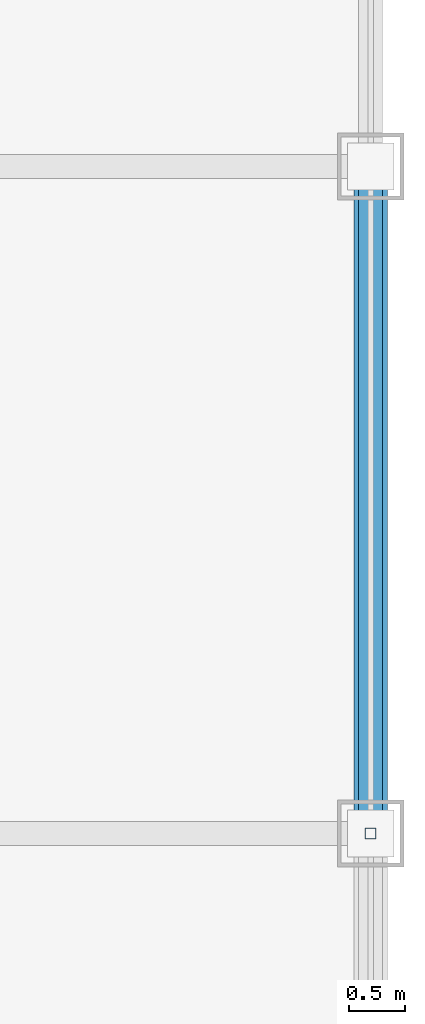
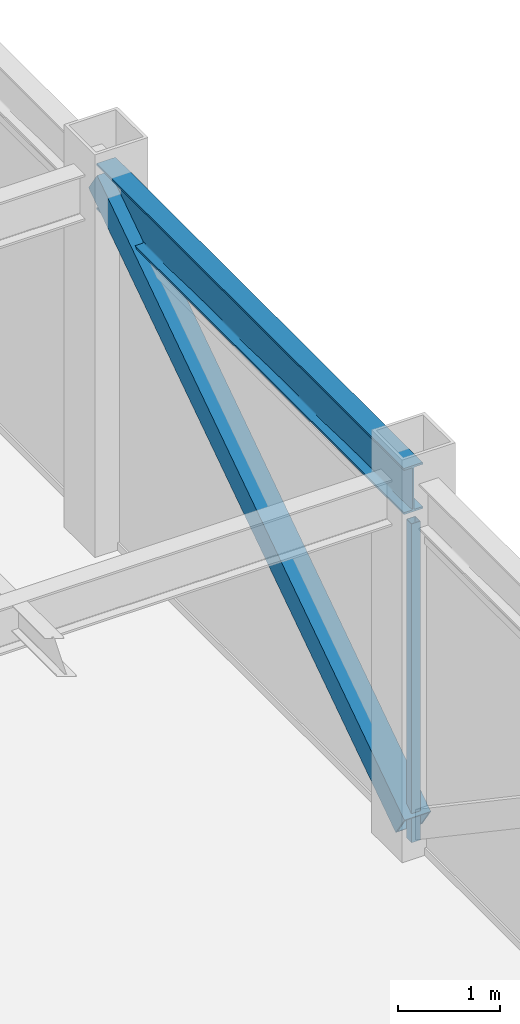
# One storey, part 12 of 27: 2 members, 1 beam, 1 element without a shape of its own.
"""IFC4 building model written with IfcOpenShell, lengths in metres."""

import ifcopenshell
import ifcopenshell.guid

model = None  # the IFC model being written
_history = None  # IfcOwnerHistory: only IFC2X3 demands one
_inside = {}  # id of a spatial element -> (the spatial element, [elements in it])
_under = {}  # id of a project, library or spatial element -> (it, [spatial elements below it])
_declared = {}  # id of a project -> (the project, [libraries it declares])
_typed = {}  # id of a type object -> (the type object, [elements of that type])
_made_of = {}  # id of a material, layer set ... -> (it, [elements and type objects made of it])


def new_model(schema):
    """Start an empty IFC model of exactly this schema.

    Asked for "IFC4X3", IfcOpenShell would pick the latest addendum, in which some entities
    have other attributes; the version numbers below select the first issue.
    IFC2X3 requires an IfcOwnerHistory on every rooted entity: one is made here for all.
    """
    global model, _history
    if schema == "IFC4X3":
        model = ifcopenshell.file(schema_version=(4, 3, 0, 0))
    else:
        model = ifcopenshell.file(schema=schema)
    _inside.clear()
    _under.clear()
    _declared.clear()
    _typed.clear()
    _made_of.clear()
    _history = None
    if model.schema == "IFC2X3":
        org = make("IfcOrganization", Name="unknown")
        user = make(
            "IfcPersonAndOrganization",
            ThePerson=make("IfcPerson", FamilyName="unknown"),
            TheOrganization=org,
        )
        app = make(
            "IfcApplication",
            ApplicationDeveloper=org,
            Version="unknown",
            ApplicationFullName="unknown",
            ApplicationIdentifier="unknown",
        )
        _history = make(
            "IfcOwnerHistory",
            OwningUser=user,
            OwningApplication=app,
            ChangeAction="ADDED",
            CreationDate=0,
        )
    return model


def make(cls, **values):
    """One entity of the class cls with the attributes given. An attribute that is None is left unset."""
    return model.create_entity(
        cls, **{name: value for name, value in values.items() if value is not None}
    )


def rooted(cls, **values):
    """An entity with a GlobalId (a new one), such as an element, a storey or a relation."""
    return make(cls, GlobalId=ifcopenshell.guid.new(), OwnerHistory=_history, **values)


def si_unit(unit_type, name, prefix=None):
    """IfcSIUnit, for example si_unit("LENGTHUNIT", "METRE", prefix="MILLI")."""
    return make("IfcSIUnit", UnitType=unit_type, Prefix=prefix, Name=name)


def assignment(units):
    """IfcUnitAssignment: the units of a project."""
    return None if units is None else make("IfcUnitAssignment", Units=units)


def point(xyz):
    """IfcCartesianPoint."""
    return None if xyz is None else make("IfcCartesianPoint", Coordinates=xyz)


def direction(xyz):
    """IfcDirection."""
    return None if xyz is None else make("IfcDirection", DirectionRatios=xyz)


def frame(location, z_axis=None, x_axis=None):
    """IfcAxis2Placement3D, a coordinate frame: its origin and axes. An axis left out is left unset."""
    return make(
        "IfcAxis2Placement3D",
        Location=point(location),
        Axis=direction(z_axis),
        RefDirection=direction(x_axis),
    )


def frame_2d(location, x_axis=None):
    """IfcAxis2Placement2D, a coordinate frame in the plane: its origin and x axis."""
    return make(
        "IfcAxis2Placement2D", Location=point(location), RefDirection=direction(x_axis)
    )


def origin():
    """The frame at (0, 0, 0) with its axes left unset."""
    return frame((0.0, 0.0, 0.0))


def origin_2d():
    """The frame at (0, 0) in the plane with its x axis left unset."""
    return frame_2d((0.0, 0.0))


def place(relative_to, where):
    """IfcLocalPlacement: puts the frame where relative to a parent placement (None: the world)."""
    return make(
        "IfcLocalPlacement", PlacementRelTo=relative_to, RelativePlacement=where
    )


def context(
    kind, dimensions, precision=None, world=None, true_north=None, identifier=None
):
    """IfcGeometricRepresentationContext, for example the 3D "Model" context."""
    return make(
        "IfcGeometricRepresentationContext",
        ContextIdentifier=identifier,
        ContextType=kind,
        CoordinateSpaceDimension=dimensions,
        Precision=precision,
        WorldCoordinateSystem=world,
        TrueNorth=true_north,
    )


def subcontext(parent, identifier, kind, view, scale=None):
    """IfcGeometricRepresentationSubContext, for example "Body" below "Model"."""
    return make(
        "IfcGeometricRepresentationSubContext",
        ContextIdentifier=identifier,
        ContextType=kind,
        ParentContext=parent,
        TargetScale=scale,
        TargetView=view,
    )


def project(units=None, contexts=None):
    """IfcProject with its units and contexts."""
    return rooted(
        "IfcProject",
        Name="project",
        RepresentationContexts=contexts,
        UnitsInContext=assignment(units),
    )


def spatial(cls, under=None, at=None, **own):
    """A site, building, storey or space (cls), placed at a placement, below another one or the project."""
    s = rooted(cls, ObjectPlacement=at, **own)
    if under is not None:
        _under.setdefault(under.id(), (under, []))[1].append(s)
    return s


def profile(cls, at=None, kind="AREA", **sizes):
    """A parametric profile (cls). Its sizes go by their IFC names, for example OverallWidth=200.0."""
    return make(cls, ProfileType=kind, Position=at, **sizes)


def hollow_rectangle(**sizes):
    """IfcRectangleHollowProfileDef."""
    return profile("IfcRectangleHollowProfileDef", **sizes)


def i_section(**sizes):
    """IfcIShapeProfileDef."""
    return profile("IfcIShapeProfileDef", **sizes)


def extrude(swept, where, along, depth):
    """IfcExtrudedAreaSolid: the profile swept, set in the frame where, extruded along a direction by depth."""
    return make(
        "IfcExtrudedAreaSolid",
        SweptArea=swept,
        Position=where,
        ExtrudedDirection=direction(along),
        Depth=depth,
    )


def shape(context_of_items, identifier, shape_type, items):
    """IfcShapeRepresentation: the items that make up one representation, for example the "Body"."""
    return make(
        "IfcShapeRepresentation",
        ContextOfItems=context_of_items,
        RepresentationIdentifier=identifier,
        RepresentationType=shape_type,
        Items=items,
    )


def source(mapping_origin, context_of_items, identifier, shape_type, items):
    """IfcRepresentationMap: a shape defined once, which mapped items show again and again."""
    return make(
        "IfcRepresentationMap",
        MappingOrigin=mapping_origin,
        MappedRepresentation=shape(context_of_items, identifier, shape_type, items),
    )


def transform(
    local_origin,
    x_axis=None,
    y_axis=None,
    z_axis=None,
    scale=None,
    scale2=None,
    scale3=None,
    uniform=True,
):
    """IfcCartesianTransformationOperator3D, or its non-uniform kind. x_axis, y_axis, z_axis: its Axis1, 2, 3."""
    if uniform:
        return make(
            "IfcCartesianTransformationOperator3D",
            Axis1=direction(x_axis),
            Axis2=direction(y_axis),
            LocalOrigin=point(local_origin),
            Scale=scale,
            Axis3=direction(z_axis),
        )
    return make(
        "IfcCartesianTransformationOperator3DnonUniform",
        Axis1=direction(x_axis),
        Axis2=direction(y_axis),
        LocalOrigin=point(local_origin),
        Scale=scale,
        Axis3=direction(z_axis),
        Scale2=scale2,
        Scale3=scale3,
    )


def mapped(mapping_source, mapping_target):
    """IfcMappedItem: shows the shape of a source again, moved by a transform."""
    return make(
        "IfcMappedItem", MappingSource=mapping_source, MappingTarget=mapping_target
    )


def material(Name=None, Category=None):
    """IfcMaterial."""
    return make("IfcMaterial", Name=Name, Category=Category)


def material_profile(
    of_material, cross_section, Name=None, Category=None, Priority=None
):
    """IfcMaterialProfile: a cross section and its material."""
    return make(
        "IfcMaterialProfile",
        Name=Name,
        Material=of_material,
        Profile=cross_section,
        Priority=Priority,
        Category=Category,
    )


def profile_set(profiles, Name=None, composite=None):
    """IfcMaterialProfileSet."""
    return make(
        "IfcMaterialProfileSet",
        Name=Name,
        MaterialProfiles=profiles,
        CompositeProfile=composite,
    )


def made_of(thing, what):
    """Note that an element or type object is made of a material, layer set ...; save() writes the relation."""
    if what is not None:
        _made_of.setdefault(what.id(), (what, []))[1].append(thing)
    return thing


def type_object(cls, material=None, **own):
    """A type object (cls), such as IfcWallType, which elements share."""
    return made_of(rooted(cls, **own), material)


def element(
    cls,
    number,
    at=None,
    inside=None,
    cuts=None,
    type_object=None,
    material=None,
    context=None,
    identifier="Body",
    shape_type=None,
    held_by="IfcProductDefinitionShape",
    body=None,
    shapes=None,
    **own,
):
    """One element of the class cls, such as IfcWall. Its Tag is "e" and its number.

    at: its placement. inside: the storey or other place that contains it. cuts: it is an
    opening in that element (IfcRelVoidsElement). A single representation is given by context,
    identifier, shape_type and body (its items); several are given by shapes. held_by: the class
    of the entity that holds the representations. save() writes the other relations.
    """
    e = rooted(cls, Tag="e%d" % number, ObjectPlacement=at, **own)
    if body is not None:
        shapes = [shape(context, identifier, shape_type, body)]
    if shapes is not None:
        e.Representation = make(held_by, Representations=shapes)
    if inside is not None:
        _inside.setdefault(inside.id(), (inside, []))[1].append(e)
    if cuts is not None:
        rooted(
            "IfcRelVoidsElement", RelatingBuildingElement=cuts, RelatedOpeningElement=e
        )
    if type_object is not None:
        _typed.setdefault(type_object.id(), (type_object, []))[1].append(e)
    return made_of(e, material)


def aggregate(whole, parts):
    """IfcRelAggregates: a whole, such as a stair, and the parts it consists of."""
    return rooted("IfcRelAggregates", RelatingObject=whole, RelatedObjects=parts)


def save(model, path):
    """Write the relations noted so far, then the file.

    IfcRelAggregates (storeys below a building ...), IfcRelContainedInSpatialStructure (elements
    in a storey), IfcRelDefinesByType, IfcRelAssociatesMaterial and IfcRelDeclares: one each for
    every whole, place, type object, material and project.
    """
    for whole, parts in _under.values():
        aggregate(whole, parts)
    for where, things in _inside.values():
        rooted(
            "IfcRelContainedInSpatialStructure",
            RelatedElements=things,
            RelatingStructure=where,
        )
    for kind, things in _typed.values():
        rooted("IfcRelDefinesByType", RelatedObjects=things, RelatingType=kind)
    for what, things in _made_of.values():
        rooted("IfcRelAssociatesMaterial", RelatedObjects=things, RelatingMaterial=what)
    for by, libraries in _declared.values():
        rooted("IfcRelDeclares", RelatingContext=by, RelatedDefinitions=libraries)
    model.write(path)


model = new_model("IFC4")

# Units and contexts
model_context = context("Model", 3, precision=1e-05, world=origin(), true_north=direction((0.0, 1.0)))
body_context = subcontext(model_context, "Body", "Model", "MODEL_VIEW")
ifc_project = project(units=[si_unit("LENGTHUNIT", "METRE"), si_unit("AREAUNIT", "SQUARE_METRE"), si_unit("VOLUMEUNIT", "CUBIC_METRE"), si_unit("PLANEANGLEUNIT", "RADIAN"), si_unit("MASSUNIT", "GRAM", prefix="KILO")], contexts=[model_context])

# Site, building, storey
site_placement = place(None, origin())
site = spatial("IfcSite", under=ifc_project, at=site_placement, CompositionType="ELEMENT")
building_placement = place(site_placement, origin())
building = spatial("IfcBuilding", under=site, at=building_placement, Name="Khorayat Bourse Tower", CompositionType="ELEMENT")
storey_placement = place(building_placement, frame((0.0, 0.0, 394.699951171875)))
storey = spatial("IfcBuildingStorey", under=building, at=storey_placement, Name="L93", CompositionType="ELEMENT", Elevation=394.699951171875)

# Beam
ifc_material_1 = material(Name="Steel ASTM A992 Grade 50", Category="steel")
ifc_material_profile_1 = material_profile(ifc_material_1, i_section(OverallWidth=0.214111328125, OverallDepth=0.549072265625, WebThickness=0.0146484375, FlangeThickness=0.023681640625, FilletRadius=0.013916015625, at=origin_2d()), Name="W530X138")
ifc_profile_set_1 = profile_set([ifc_material_profile_1], Name="Steel ASTM A992 Grade 50")
beam_type = type_object("IfcBeamType", Name="BM-SPAN-530", PredefinedType="SPANDREL", material=ifc_profile_set_1)
shared_shape_1 = source(origin(), body_context, "Body", "SweptSolid", [
    extrude(i_section(OverallWidth=0.214111328125, OverallDepth=0.549072265625, WebThickness=0.0146484375, FlangeThickness=0.023681640625, FilletRadius=0.013916015625, at=origin_2d()), origin(), (0.0, 0.0, 1.0), 6.0),
])
beam_placement = place(storey_placement, frame((24.0, 0.0, 4.175537109375), z_axis=(0.0, 1.0, 0.0), x_axis=(-1.0, 0.0, 0.0)))
element("IfcBeam", 1, at=beam_placement, inside=storey, type_object=beam_type, Name="L93 BM-SPAN-530 BM-L93-SPN-035", PredefinedType="SPANDREL", context=body_context, shape_type="MappedRepresentation", body=[
    mapped(shared_shape_1, transform((0.0, 0.0, 0.0), scale=1.0)),
])

# Member
ifc_material_2 = material(Name="Steel EN 10025-2 S355J2", Category="steel")
ifc_material_profile_2 = material_profile(ifc_material_2, hollow_rectangle(XDim=0.300048828125, YDim=0.300048828125, WallThickness=0.01611328125, at=origin_2d()), Name="HSS 300x300x16")
ifc_profile_set_2 = profile_set([ifc_material_profile_2], Name="Steel EN 10025-2 S355J2")
member_type_1 = type_object("IfcMemberType", Name="MBR-CROWN-300", PredefinedType="USERDEFINED", material=ifc_profile_set_2)
shared_shape_2 = source(origin(), body_context, "Body", "SweptSolid", [
    extrude(hollow_rectangle(XDim=0.300048828125, YDim=0.300048828125, WallThickness=0.01611328125, at=origin_2d()), origin(), (0.0, 0.0, 1.0), 7.239013671875),
])
member_1_placement = place(storey_placement, frame((24.0, 0.0, 0.199951171875), z_axis=(0.0, 0.828845546207, 0.559477488852), x_axis=(-1.0, 0.0, 0.0)))
element("IfcMember", 2, at=member_1_placement, inside=storey, type_object=member_type_1, Name="L93 Lantern Crown Frame Member 15", ObjectType="CROWN FRAME", PredefinedType="USERDEFINED", context=body_context, shape_type="MappedRepresentation", body=[
    mapped(shared_shape_2, transform((0.0, 0.0, 0.0), scale=1.0)),
])

# Curtain wall, member
ifc_material_3 = material(Name="Aluminium EN AW-6063 T6", Category="aluminium")
curtain_wall_type = type_object("IfcCurtainWallType", Name="CW-SYS-07", PredefinedType="NOTDEFINED", material=ifc_material_3)
curtain_wall_placement = place(storey_placement, origin())
curtain_wall = element("IfcCurtainWall", 3, at=curtain_wall_placement, inside=storey, type_object=curtain_wall_type, Name="L93 Curtain Wall CW-L93-E1", PredefinedType="NOTDEFINED")
ifc_material_profile_3 = material_profile(ifc_material_3, hollow_rectangle(XDim=0.10009765625, YDim=0.10009765625, WallThickness=0.0048828125, at=origin_2d()), Name="ALU 100x100x5")
ifc_profile_set_3 = profile_set([ifc_material_profile_3], Name="Aluminium EN AW-6063 T6")
member_type_2 = type_object("IfcMemberType", Name="CWM-LANTERN-100", PredefinedType="MULLION", material=ifc_profile_set_3)
shared_shape_3 = source(origin(), body_context, "Body", "SweptSolid", [
    extrude(hollow_rectangle(XDim=0.10009765625, YDim=0.10009765625, WallThickness=0.0048828125, at=origin_2d()), origin(), (0.0, 0.0, 1.0), 3.800048828125),
])
member_2_placement = place(storey_placement, frame((24.0, 0.0, 0.0), z_axis=(0.0, 0.0, 1.0), x_axis=(-1.0, 0.0, 0.0)))
member_2 = element("IfcMember", 4, at=member_2_placement, type_object=member_type_2, Name="CW-L93-E1 Vertical Mullion 2", PredefinedType="MULLION", context=body_context, shape_type="MappedRepresentation", body=[
    mapped(shared_shape_3, transform((0.0, 0.0, 0.0), scale=1.0)),
])
aggregate(curtain_wall, [member_2])

save(model, "model.ifc")
